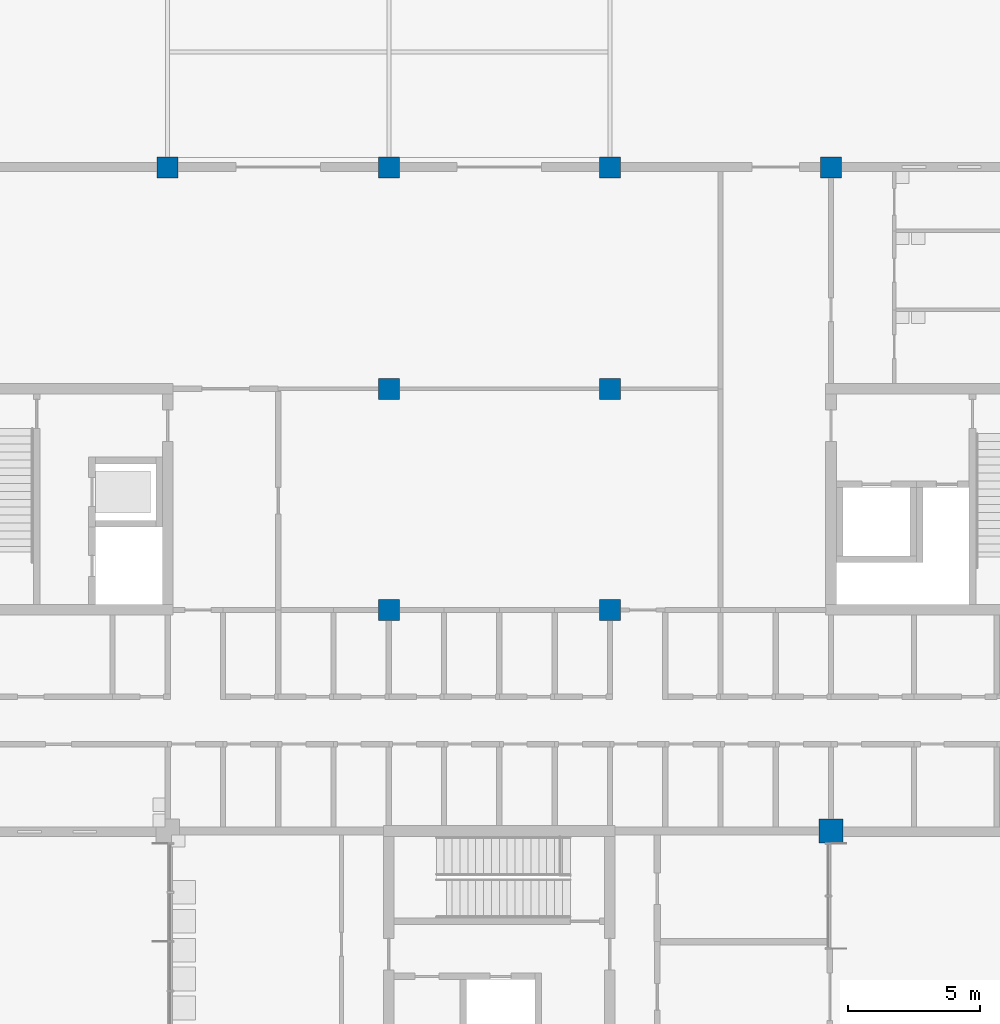
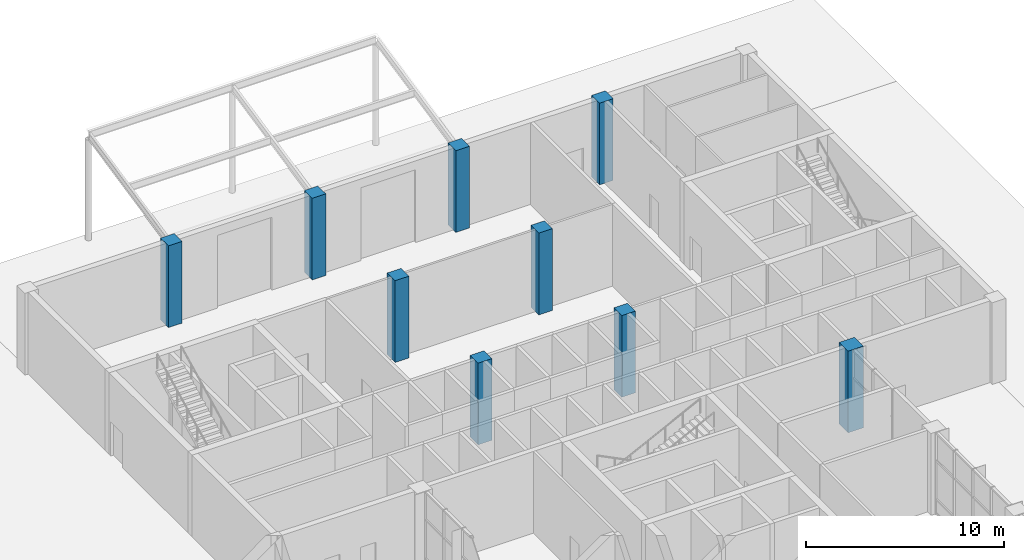
# One storey, part 11 of 76: 9 columns.
"""IFC4 building model written with IfcOpenShell, lengths in metres."""

import ifcopenshell
import ifcopenshell.guid

model = None  # the IFC model being written
_history = None  # IfcOwnerHistory: only IFC2X3 demands one
_inside = {}  # id of a spatial element -> (the spatial element, [elements in it])
_under = {}  # id of a project, library or spatial element -> (it, [spatial elements below it])
_declared = {}  # id of a project -> (the project, [libraries it declares])
_typed = {}  # id of a type object -> (the type object, [elements of that type])
_made_of = {}  # id of a material, layer set ... -> (it, [elements and type objects made of it])


def new_model(schema):
    """Start an empty IFC model of exactly this schema.

    Asked for "IFC4X3", IfcOpenShell would pick the latest addendum, in which some entities
    have other attributes; the version numbers below select the first issue.
    IFC2X3 requires an IfcOwnerHistory on every rooted entity: one is made here for all.
    """
    global model, _history
    if schema == "IFC4X3":
        model = ifcopenshell.file(schema_version=(4, 3, 0, 0))
    else:
        model = ifcopenshell.file(schema=schema)
    _inside.clear()
    _under.clear()
    _declared.clear()
    _typed.clear()
    _made_of.clear()
    _history = None
    if model.schema == "IFC2X3":
        org = make("IfcOrganization", Name="unknown")
        user = make(
            "IfcPersonAndOrganization",
            ThePerson=make("IfcPerson", FamilyName="unknown"),
            TheOrganization=org,
        )
        app = make(
            "IfcApplication",
            ApplicationDeveloper=org,
            Version="unknown",
            ApplicationFullName="unknown",
            ApplicationIdentifier="unknown",
        )
        _history = make(
            "IfcOwnerHistory",
            OwningUser=user,
            OwningApplication=app,
            ChangeAction="ADDED",
            CreationDate=0,
        )
    return model


def make(cls, **values):
    """One entity of the class cls with the attributes given. An attribute that is None is left unset."""
    return model.create_entity(
        cls, **{name: value for name, value in values.items() if value is not None}
    )


def rooted(cls, **values):
    """An entity with a GlobalId (a new one), such as an element, a storey or a relation."""
    return make(cls, GlobalId=ifcopenshell.guid.new(), OwnerHistory=_history, **values)


def si_unit(unit_type, name, prefix=None):
    """IfcSIUnit, for example si_unit("LENGTHUNIT", "METRE", prefix="MILLI")."""
    return make("IfcSIUnit", UnitType=unit_type, Prefix=prefix, Name=name)


def assignment(units):
    """IfcUnitAssignment: the units of a project."""
    return None if units is None else make("IfcUnitAssignment", Units=units)


def point(xyz):
    """IfcCartesianPoint."""
    return None if xyz is None else make("IfcCartesianPoint", Coordinates=xyz)


def direction(xyz):
    """IfcDirection."""
    return None if xyz is None else make("IfcDirection", DirectionRatios=xyz)


def frame(location, z_axis=None, x_axis=None):
    """IfcAxis2Placement3D, a coordinate frame: its origin and axes. An axis left out is left unset."""
    return make(
        "IfcAxis2Placement3D",
        Location=point(location),
        Axis=direction(z_axis),
        RefDirection=direction(x_axis),
    )


def frame_2d(location, x_axis=None):
    """IfcAxis2Placement2D, a coordinate frame in the plane: its origin and x axis."""
    return make(
        "IfcAxis2Placement2D", Location=point(location), RefDirection=direction(x_axis)
    )


def origin():
    """The frame at (0, 0, 0) with its axes left unset."""
    return frame((0.0, 0.0, 0.0))


def origin_2d():
    """The frame at (0, 0) in the plane with its x axis left unset."""
    return frame_2d((0.0, 0.0))


def place(relative_to, where):
    """IfcLocalPlacement: puts the frame where relative to a parent placement (None: the world)."""
    return make(
        "IfcLocalPlacement", PlacementRelTo=relative_to, RelativePlacement=where
    )


def context(
    kind, dimensions, precision=None, world=None, true_north=None, identifier=None
):
    """IfcGeometricRepresentationContext, for example the 3D "Model" context."""
    return make(
        "IfcGeometricRepresentationContext",
        ContextIdentifier=identifier,
        ContextType=kind,
        CoordinateSpaceDimension=dimensions,
        Precision=precision,
        WorldCoordinateSystem=world,
        TrueNorth=true_north,
    )


def subcontext(parent, identifier, kind, view, scale=None):
    """IfcGeometricRepresentationSubContext, for example "Body" below "Model"."""
    return make(
        "IfcGeometricRepresentationSubContext",
        ContextIdentifier=identifier,
        ContextType=kind,
        ParentContext=parent,
        TargetScale=scale,
        TargetView=view,
    )


def project(units=None, contexts=None):
    """IfcProject with its units and contexts."""
    return rooted(
        "IfcProject",
        Name="project",
        RepresentationContexts=contexts,
        UnitsInContext=assignment(units),
    )


def spatial(cls, under=None, at=None, **own):
    """A site, building, storey or space (cls), placed at a placement, below another one or the project."""
    s = rooted(cls, ObjectPlacement=at, **own)
    if under is not None:
        _under.setdefault(under.id(), (under, []))[1].append(s)
    return s


def profile(cls, at=None, kind="AREA", **sizes):
    """A parametric profile (cls). Its sizes go by their IFC names, for example OverallWidth=200.0."""
    return make(cls, ProfileType=kind, Position=at, **sizes)


def rectangle(**sizes):
    """IfcRectangleProfileDef."""
    return profile("IfcRectangleProfileDef", **sizes)


def extrude(swept, where, along, depth):
    """IfcExtrudedAreaSolid: the profile swept, set in the frame where, extruded along a direction by depth."""
    return make(
        "IfcExtrudedAreaSolid",
        SweptArea=swept,
        Position=where,
        ExtrudedDirection=direction(along),
        Depth=depth,
    )


def shape(context_of_items, identifier, shape_type, items):
    """IfcShapeRepresentation: the items that make up one representation, for example the "Body"."""
    return make(
        "IfcShapeRepresentation",
        ContextOfItems=context_of_items,
        RepresentationIdentifier=identifier,
        RepresentationType=shape_type,
        Items=items,
    )


def material(Name=None, Category=None):
    """IfcMaterial."""
    return make("IfcMaterial", Name=Name, Category=Category)


def material_profile(
    of_material, cross_section, Name=None, Category=None, Priority=None
):
    """IfcMaterialProfile: a cross section and its material."""
    return make(
        "IfcMaterialProfile",
        Name=Name,
        Material=of_material,
        Profile=cross_section,
        Priority=Priority,
        Category=Category,
    )


def profile_set(profiles, Name=None, composite=None):
    """IfcMaterialProfileSet."""
    return make(
        "IfcMaterialProfileSet",
        Name=Name,
        MaterialProfiles=profiles,
        CompositeProfile=composite,
    )


def made_of(thing, what):
    """Note that an element or type object is made of a material, layer set ...; save() writes the relation."""
    if what is not None:
        _made_of.setdefault(what.id(), (what, []))[1].append(thing)
    return thing


def type_object(cls, material=None, **own):
    """A type object (cls), such as IfcWallType, which elements share."""
    return made_of(rooted(cls, **own), material)


def element(
    cls,
    number,
    at=None,
    inside=None,
    cuts=None,
    type_object=None,
    material=None,
    context=None,
    identifier="Body",
    shape_type=None,
    held_by="IfcProductDefinitionShape",
    body=None,
    shapes=None,
    **own,
):
    """One element of the class cls, such as IfcWall. Its Tag is "e" and its number.

    at: its placement. inside: the storey or other place that contains it. cuts: it is an
    opening in that element (IfcRelVoidsElement). A single representation is given by context,
    identifier, shape_type and body (its items); several are given by shapes. held_by: the class
    of the entity that holds the representations. save() writes the other relations.
    """
    e = rooted(cls, Tag="e%d" % number, ObjectPlacement=at, **own)
    if body is not None:
        shapes = [shape(context, identifier, shape_type, body)]
    if shapes is not None:
        e.Representation = make(held_by, Representations=shapes)
    if inside is not None:
        _inside.setdefault(inside.id(), (inside, []))[1].append(e)
    if cuts is not None:
        rooted(
            "IfcRelVoidsElement", RelatingBuildingElement=cuts, RelatedOpeningElement=e
        )
    if type_object is not None:
        _typed.setdefault(type_object.id(), (type_object, []))[1].append(e)
    return made_of(e, material)


def aggregate(whole, parts):
    """IfcRelAggregates: a whole, such as a stair, and the parts it consists of."""
    return rooted("IfcRelAggregates", RelatingObject=whole, RelatedObjects=parts)


def save(model, path):
    """Write the relations noted so far, then the file.

    IfcRelAggregates (storeys below a building ...), IfcRelContainedInSpatialStructure (elements
    in a storey), IfcRelDefinesByType, IfcRelAssociatesMaterial and IfcRelDeclares: one each for
    every whole, place, type object, material and project.
    """
    for whole, parts in _under.values():
        aggregate(whole, parts)
    for where, things in _inside.values():
        rooted(
            "IfcRelContainedInSpatialStructure",
            RelatedElements=things,
            RelatingStructure=where,
        )
    for kind, things in _typed.values():
        rooted("IfcRelDefinesByType", RelatedObjects=things, RelatingType=kind)
    for what, things in _made_of.values():
        rooted("IfcRelAssociatesMaterial", RelatedObjects=things, RelatingMaterial=what)
    for by, libraries in _declared.values():
        rooted("IfcRelDeclares", RelatingContext=by, RelatedDefinitions=libraries)
    model.write(path)


model = new_model("IFC4")

# Units and contexts
model_context = context("Model", 3, precision=1e-05, world=origin(), true_north=direction((0.0, 1.0)))
body_context = subcontext(model_context, "Body", "Model", "MODEL_VIEW")
ifc_project = project(units=[si_unit("LENGTHUNIT", "METRE"), si_unit("AREAUNIT", "SQUARE_METRE"), si_unit("VOLUMEUNIT", "CUBIC_METRE"), si_unit("PLANEANGLEUNIT", "RADIAN"), si_unit("MASSUNIT", "GRAM", prefix="KILO")], contexts=[model_context])

# Site, building, storey
site_placement = place(None, origin())
site = spatial("IfcSite", under=ifc_project, at=site_placement, CompositionType="ELEMENT")
building_placement = place(site_placement, origin())
building = spatial("IfcBuilding", under=site, at=building_placement, Name="Hlaing Beacon Police Headquarters", CompositionType="ELEMENT")
storey_placement = place(building_placement, origin())
storey = spatial("IfcBuildingStorey", under=building, at=storey_placement, Name="L00", CompositionType="ELEMENT", Elevation=0.0)

# Columns
ifc_material_1 = material(Name="Concrete C50/60", Category="concrete")
ifc_material_profile_1 = material_profile(ifc_material_1, rectangle(XDim=0.800048828125, YDim=0.800048828125, at=origin_2d()), Name="800x800")
ifc_profile_set_1 = profile_set([ifc_material_profile_1], Name="Concrete C50/60")
column_type_1 = type_object("IfcColumnType", Name="RC column 800x800 C50/60", PredefinedType="COLUMN", material=ifc_profile_set_1)
for number, where, z_axis, x_axis, name in (
    (1, (100.800048828125, 92.39990234375, 0.0), (0.0, 0.0, 1.0), (1.0, 0.0, 0.0), "STR-COL-L00-N12"),
    (2, (109.199951171875, 75.60009765625, 0.0), (0.0, 0.0, 1.0), (1.0, 0.0, 0.0), "STR-COL-L00-P10"),
    (3, (109.199951171875, 84.0, 0.0), (0.0, 0.0, 1.0), (1.0, 0.0, 0.0), "STR-COL-L00-P11"),
    (4, (109.199951171875, 92.39990234375, 0.0), (0.0, 0.0, 1.0), (1.0, 0.0, 0.0), "STR-COL-L00-P12"),
    (5, (117.60009765625, 75.60009765625, 0.0), (0.0, 0.0, 1.0), (1.0, 0.0, 0.0), "STR-COL-L00-Q10"),
    (6, (117.60009765625, 84.0, 0.0), (0.0, 0.0, 1.0), (1.0, 0.0, 0.0), "STR-COL-L00-Q11"),
    (7, (117.60009765625, 92.39990234375, 0.0), (0.0, 0.0, 1.0), (1.0, 0.0, 0.0), "STR-COL-L00-Q12"),
    (8, (126.0, 92.39990234375, 0.0), (0.0, 0.0, 1.0), (1.0, 0.0, 0.0), "STR-COL-L00-R12"),
):
    element("IfcColumn", number, at=place(storey_placement, frame(where, z_axis=z_axis, x_axis=x_axis)), inside=storey, type_object=column_type_1, Name=name, PredefinedType="COLUMN", context=body_context, shape_type="SweptSolid", body=[
        extrude(rectangle(XDim=0.800048828125, YDim=0.800048828125, at=origin_2d()), origin(), (0.0, 0.0, 1.0), 5.050048828125),
    ])
ifc_material_2 = material(Name="Concrete C60/75", Category="concrete")
ifc_material_profile_2 = material_profile(ifc_material_2, rectangle(XDim=0.89990234375, YDim=0.89990234375, at=origin_2d()), Name="900x900")
ifc_profile_set_2 = profile_set([ifc_material_profile_2], Name="Concrete C60/75")
column_type_2 = type_object("IfcColumnType", Name="RC column 900x900 C60/75", PredefinedType="COLUMN", material=ifc_profile_set_2)
column_placement = place(storey_placement, frame((126.0, 67.199951171875, 0.0), z_axis=(0.0, 0.0, 1.0), x_axis=(1.0, 0.0, 0.0)))
element("IfcColumn", 9, at=column_placement, inside=storey, type_object=column_type_2, Name="STR-COL-L00-R9", PredefinedType="COLUMN", context=body_context, shape_type="SweptSolid", body=[
    extrude(rectangle(XDim=0.89990234375, YDim=0.89990234375, at=origin_2d()), origin(), (0.0, 0.0, 1.0), 5.050048828125),
])

save(model, "model.ifc")
